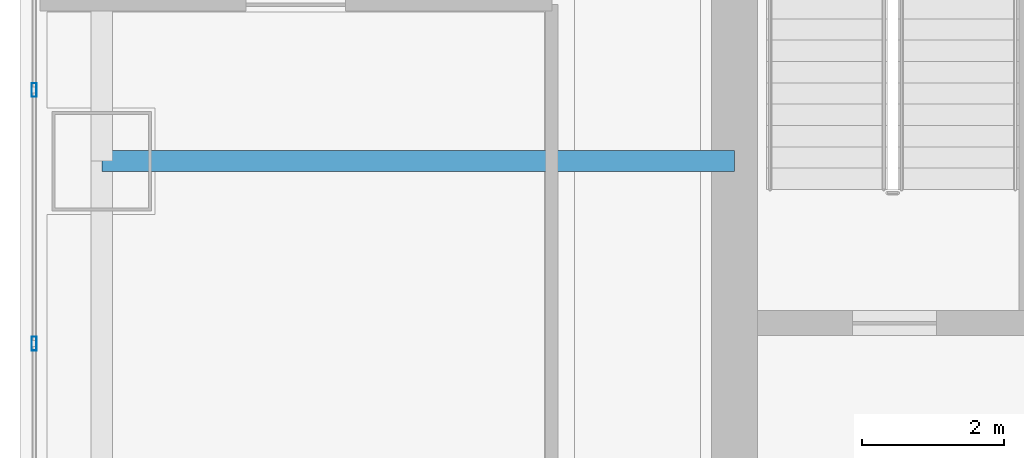
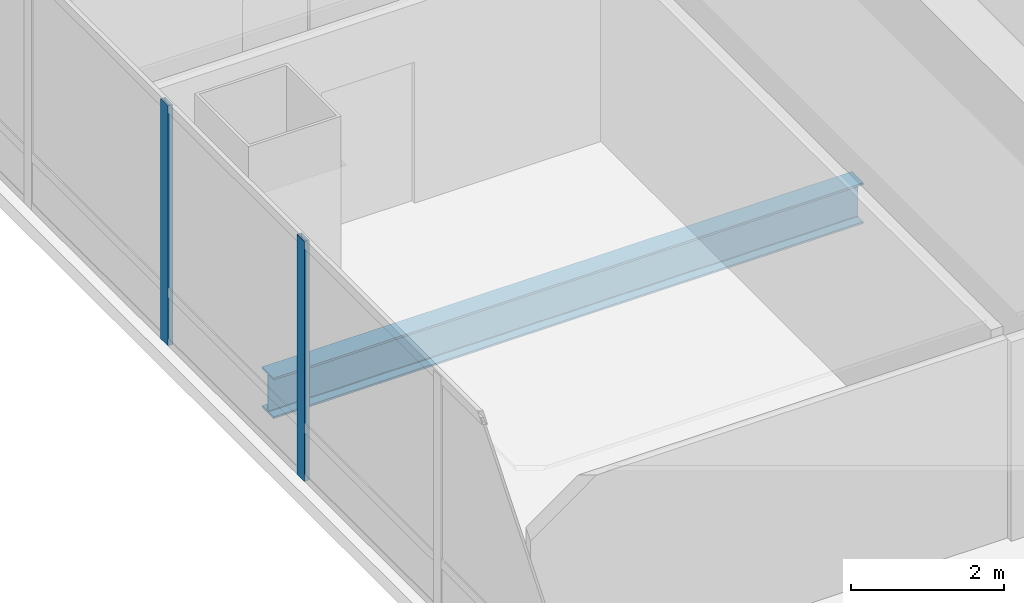
# One storey, part 9 of 36: 2 members, 1 beam, 1 element without a shape of its own.
"""IFC4 building model written with IfcOpenShell, lengths in metres."""

from ifc_helpers import new_model, si_unit, direction, frame, origin, origin_2d, place, context, subcontext, project, spatial, hollow_rectangle, i_section, extrude, material, material_profile, profile_set, type_object, element, aggregate, save


model = new_model("IFC4")

# Units and contexts
model_context = context("Model", 3, precision=1e-05, world=origin(), true_north=direction((0.0, 1.0)))
body_context = subcontext(model_context, "Body", "Model", "MODEL_VIEW")
ifc_project = project(units=[si_unit("LENGTHUNIT", "METRE"), si_unit("AREAUNIT", "SQUARE_METRE"), si_unit("VOLUMEUNIT", "CUBIC_METRE"), si_unit("PLANEANGLEUNIT", "RADIAN"), si_unit("MASSUNIT", "GRAM", prefix="KILO")], contexts=[model_context])

# Site, building, storey
site_placement = place(None, origin())
site = spatial("IfcSite", under=ifc_project, at=site_placement, CompositionType="ELEMENT")
building_placement = place(site_placement, origin())
building = spatial("IfcBuilding", under=site, at=building_placement, Name="Punatoya Terracotta Tower", CompositionType="ELEMENT")
storey_placement = place(building_placement, frame((0.0, 0.0, 212.699951171875)))
storey = spatial("IfcBuildingStorey", under=building, at=storey_placement, Name="L50", CompositionType="ELEMENT", Elevation=212.699951171875)

# Beam
ifc_material_1 = material(Name="Steel S355", Category="steel")
ifc_material_profile_1 = material_profile(ifc_material_1, i_section(OverallWidth=0.300048828125, OverallDepth=0.64990234375, WebThickness=0.01611328125, FlangeThickness=0.031005859375, FilletRadius=0.01806640625, at=origin_2d()))
ifc_profile_set_1 = profile_set([ifc_material_profile_1], Name="Steel S355")
beam_type = type_object("IfcBeamType", Name="BM-PRI-650", PredefinedType="BEAM", material=ifc_profile_set_1)
beam_placement = place(storey_placement, frame((-19.10009765625, -3.39990234375, -0.544921875), z_axis=(1.0, 0.0, 0.0), x_axis=(0.0, 1.0, 0.0)))
element("IfcBeam", 1, at=beam_placement, inside=storey, type_object=beam_type, Name="BM-L50-PR-WD", PredefinedType="BEAM", context=body_context, shape_type="SweptSolid", body=[
    extrude(i_section(OverallWidth=0.300048828125, OverallDepth=0.64990234375, WebThickness=0.01611328125, FlangeThickness=0.031005859375, FilletRadius=0.01806640625, at=origin_2d()), origin(), (0.0, 0.0, 1.0), 8.900146484375),
])

# Curtain wall, members
ifc_material_2 = material(Name="Aluminium 6063-T6 + Double Low-E Glass", Category="aluminium")
curtain_wall_type = type_object("IfcCurtainWallType", Name="CW-M2", PredefinedType="NOTDEFINED", material=ifc_material_2)
curtain_wall_placement = place(storey_placement, origin())
curtain_wall = element("IfcCurtainWall", 2, at=curtain_wall_placement, inside=storey, type_object=curtain_wall_type, Name="L50 Curtain Wall CW-L50-W13-1", PredefinedType="NOTDEFINED")
ifc_material_3 = material(Name="Aluminium 6063-T6", Category="aluminium")
ifc_material_profile_2 = material_profile(ifc_material_3, hollow_rectangle(XDim=0.072021484375, YDim=0.195068359375, WallThickness=0.00439453125, at=origin_2d()))
ifc_profile_set_2 = profile_set([ifc_material_profile_2], Name="Aluminium 6063-T6")
member_type = type_object("IfcMemberType", Name="CW-MUL-M2", PredefinedType="MULLION", material=ifc_profile_set_2)
member_1_placement = place(storey_placement, frame((-20.050048828125, -2.39990234375, 0.0), z_axis=(0.0, 0.0, 1.0), x_axis=(1.0, 0.0, 0.0)))
member_1 = element("IfcMember", 3, at=member_1_placement, type_object=member_type, Name="CW-L50-W13-1 Mullion 05", PredefinedType="MULLION", context=body_context, shape_type="SweptSolid", body=[
    extrude(hollow_rectangle(XDim=0.072021484375, YDim=0.195068359375, WallThickness=0.00439453125, at=origin_2d()), origin(), (0.0, 0.0, 1.0), 3.830078125),
])
member_2_placement = place(storey_placement, frame((-20.050048828125, -5.96728515625, 0.0), z_axis=(0.0, 0.0, 1.0), x_axis=(1.0, 0.0, 0.0)))
member_2 = element("IfcMember", 4, at=member_2_placement, type_object=member_type, Name="CW-L50-W13-1 Mullion 06", PredefinedType="MULLION", context=body_context, shape_type="SweptSolid", body=[
    extrude(hollow_rectangle(XDim=0.072021484375, YDim=0.195068359375, WallThickness=0.00439453125, at=origin_2d()), origin(), (0.0, 0.0, 1.0), 3.830078125),
])
aggregate(curtain_wall, [member_1, member_2])

save(model, "model.ifc")
